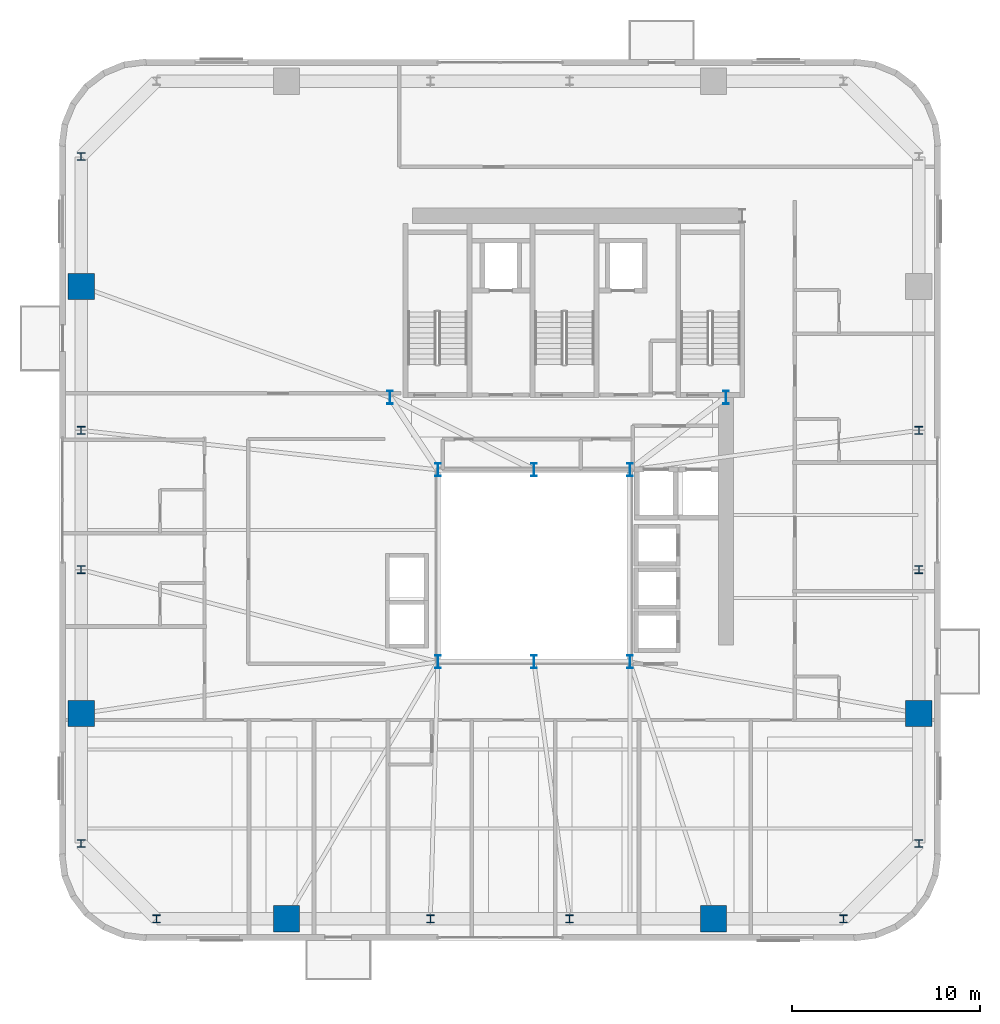
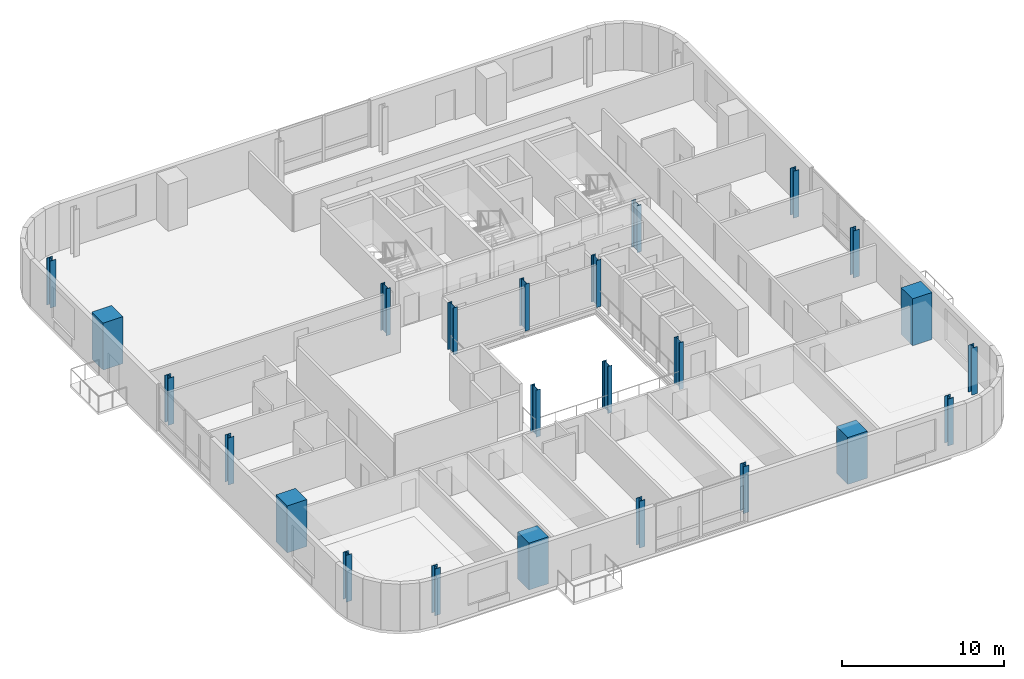
# One storey, part 1 of 16: 24 columns.
"""IFC4 building model written with IfcOpenShell, lengths in metres."""

from ifc_helpers import new_model, si_unit, direction, frame, origin, origin_2d, place, context, subcontext, project, spatial, rectangle, i_section, extrude, source, transform, mapped, material, material_profile, profile_set, type_object, element, save


model = new_model("IFC4")

# Units and contexts
model_context = context("Model", 3, precision=1e-05, world=origin(), true_north=direction((0.0, 1.0)))
body_context = subcontext(model_context, "Body", "Model", "MODEL_VIEW")
ifc_project = project(units=[si_unit("LENGTHUNIT", "METRE"), si_unit("AREAUNIT", "SQUARE_METRE"), si_unit("VOLUMEUNIT", "CUBIC_METRE"), si_unit("PLANEANGLEUNIT", "RADIAN"), si_unit("MASSUNIT", "GRAM", prefix="KILO")], contexts=[model_context])

# Site, building, storey
site_placement = place(None, origin())
site = spatial("IfcSite", under=ifc_project, at=site_placement, CompositionType="ELEMENT")
building_placement = place(site_placement, origin())
building = spatial("IfcBuilding", under=site, at=building_placement, Name="Vardaveli Station Tower", CompositionType="ELEMENT")
storey_placement = place(building_placement, frame((0.0, 0.0, 211.050048828125)))
storey = spatial("IfcBuildingStorey", under=building, at=storey_placement, Name="L54", CompositionType="ELEMENT", Elevation=211.050048828125)

# Columns
ifc_material_1 = material(Name="Structural steel S460M", Category="steel")
ifc_material_profile_1 = material_profile(ifc_material_1, i_section(OverallWidth=0.300048828125, OverallDepth=0.699951171875, WebThickness=0.01708984375, FlangeThickness=0.031982421875, FilletRadius=0.027099609375, at=origin_2d()), Name="HEB 700")
ifc_profile_set_1 = profile_set([ifc_material_profile_1], Name="Structural steel S460M")
column_type_1 = type_object("IfcColumnType", Name="COL-HEB700", PredefinedType="COLUMN", material=ifc_profile_set_1)
shared_shape_1 = source(origin(), body_context, "Body", "SweptSolid", [
    extrude(i_section(OverallWidth=0.300048828125, OverallDepth=0.699951171875, WebThickness=0.01708984375, FlangeThickness=0.031982421875, FilletRadius=0.027099609375, at=origin_2d()), origin(), (0.0, 0.0, 1.0), 3.530029296875),
])
for number, where, z_axis, x_axis, name in (
    (1, (31.199951171875, 16.60009765625, 0.0), (0.0, 0.0, 1.0), (1.0, 0.0, 0.0), "COL-L54-AC1"),
    (2, (36.300048828125, 16.60009765625, 0.0), (0.0, 0.0, 1.0), (1.0, 0.0, 0.0), "COL-L54-AC2"),
    (3, (41.39990234375, 16.60009765625, 0.0), (0.0, 0.0, 1.0), (1.0, 0.0, 0.0), "COL-L54-AC3"),
    (4, (41.39990234375, 26.800048828125, 0.0), (0.0, 0.0, 1.0), (1.0, 0.0, 0.0), "COL-L54-AC4"),
    (5, (36.300048828125, 26.800048828125, 0.0), (0.0, 0.0, 1.0), (1.0, 0.0, 0.0), "COL-L54-AC5"),
    (6, (31.199951171875, 26.800048828125, 0.0), (0.0, 0.0, 1.0), (1.0, 0.0, 0.0), "COL-L54-AC6"),
    (7, (28.64990234375, 30.64990234375, 0.0), (0.0, 0.0, 1.0), (1.0, 0.0, 0.0), "COL-L54-CC1"),
    (8, (46.5, 30.64990234375, 0.0), (0.0, 0.0, 1.0), (1.0, 0.0, 0.0), "COL-L54-CC2"),
):
    element("IfcColumn", number, at=place(storey_placement, frame(where, z_axis=z_axis, x_axis=x_axis)), inside=storey, type_object=column_type_1, Name=name, PredefinedType="COLUMN", context=body_context, shape_type="MappedRepresentation", body=[
        mapped(shared_shape_1, transform((0.0, 0.0, 0.0), scale=1.0)),
    ])
ifc_material_2 = material(Name="Concrete C50/60", Category="concrete")
ifc_material_profile_2 = material_profile(ifc_material_2, rectangle(XDim=1.39990234375, YDim=1.39990234375, at=origin_2d()), Name="MC 1400x1400")
ifc_profile_set_2 = profile_set([ifc_material_profile_2], Name="Concrete C50/60")
column_type_2 = type_object("IfcColumnType", Name="COL-MC-1400", PredefinedType="COLUMN", material=ifc_profile_set_2)
shared_shape_2 = source(origin(), body_context, "Body", "SweptSolid", [
    extrude(rectangle(XDim=1.39990234375, YDim=1.39990234375, at=origin_2d()), origin(), (0.0, 0.0, 1.0), 3.530029296875),
])
for number, where, z_axis, x_axis, name in (
    (9, (23.159912109375, 2.949951171875, 0.0), (0.0, 0.0, 1.0), (1.0, 0.0, 0.0), "COL-L54-MC1"),
    (10, (45.840087890625, 2.949951171875, 0.0), (0.0, 0.0, 1.0), (1.0, 0.0, 0.0), "COL-L54-MC2"),
    (11, (56.75, 13.860107421875, 0.0), (0.0, 0.0, 1.0), (1.0, 0.0, 0.0), "COL-L54-MC3"),
    (12, (12.25, 36.5400390625, 0.0), (0.0, 0.0, 1.0), (1.0, 0.0, 0.0), "COL-L54-MC7"),
    (13, (12.25, 13.860107421875, 0.0), (0.0, 0.0, 1.0), (1.0, 0.0, 0.0), "COL-L54-MC8"),
):
    element("IfcColumn", number, at=place(storey_placement, frame(where, z_axis=z_axis, x_axis=x_axis)), inside=storey, type_object=column_type_2, Name=name, PredefinedType="COLUMN", context=body_context, shape_type="MappedRepresentation", body=[
        mapped(shared_shape_2, transform((0.0, 0.0, 0.0), scale=1.0)),
    ])
ifc_material_profile_3 = material_profile(ifc_material_1, i_section(OverallWidth=0.408935546875, OverallDepth=0.4169921875, WebThickness=0.021240234375, FlangeThickness=0.033203125, FilletRadius=0.014892578125, at=origin_2d()), Name="HD 400x347")
ifc_profile_set_3 = profile_set([ifc_material_profile_3], Name="Structural steel S460M")
column_type_3 = type_object("IfcColumnType", Name="COL-HD347", PredefinedType="COLUMN", material=ifc_profile_set_3)
shared_shape_3 = source(origin(), body_context, "Body", "SweptSolid", [
    extrude(i_section(OverallWidth=0.408935546875, OverallDepth=0.4169921875, WebThickness=0.021240234375, FlangeThickness=0.033203125, FilletRadius=0.014892578125, at=origin_2d()), origin(), (0.0, 0.0, 1.0), 3.530029296875),
])
for number, where, z_axis, x_axis, name in (
    (14, (16.25, 2.949951171875, 0.0), (0.0, 0.0, 1.0), (1.0, 0.0, 0.0), "COL-L54-PC01"),
    (15, (30.800048828125, 2.949951171875, 0.0), (0.0, 0.0, 1.0), (1.0, 0.0, 0.0), "COL-L54-PC02"),
    (16, (38.199951171875, 2.949951171875, 0.0), (0.0, 0.0, 1.0), (1.0, 0.0, 0.0), "COL-L54-PC03"),
    (17, (52.75, 2.949951171875, 0.0), (0.0, 0.0, 1.0), (1.0, 0.0, 0.0), "COL-L54-PC04"),
    (18, (56.75, 6.949951171875, 0.0), (0.0, 0.0, 1.0), (1.0, 0.0, 0.0), "COL-L54-PC05"),
    (19, (56.75, 21.5, 0.0), (0.0, 0.0, 1.0), (1.0, 0.0, 0.0), "COL-L54-PC06"),
    (20, (56.75, 28.89990234375, 0.0), (0.0, 0.0, 1.0), (1.0, 0.0, 0.0), "COL-L54-PC07"),
    (21, (12.25, 43.449951171875, 0.0), (0.0, 0.0, 1.0), (1.0, 0.0, 0.0), "COL-L54-PC13"),
    (22, (12.25, 28.89990234375, 0.0), (0.0, 0.0, 1.0), (1.0, 0.0, 0.0), "COL-L54-PC14"),
    (23, (12.25, 21.5, 0.0), (0.0, 0.0, 1.0), (1.0, 0.0, 0.0), "COL-L54-PC15"),
    (24, (12.25, 6.949951171875, 0.0), (0.0, 0.0, 1.0), (1.0, 0.0, 0.0), "COL-L54-PC16"),
):
    element("IfcColumn", number, at=place(storey_placement, frame(where, z_axis=z_axis, x_axis=x_axis)), inside=storey, type_object=column_type_3, Name=name, PredefinedType="COLUMN", context=body_context, shape_type="MappedRepresentation", body=[
        mapped(shared_shape_3, transform((0.0, 0.0, 0.0), scale=1.0)),
    ])

save(model, "model.ifc")
